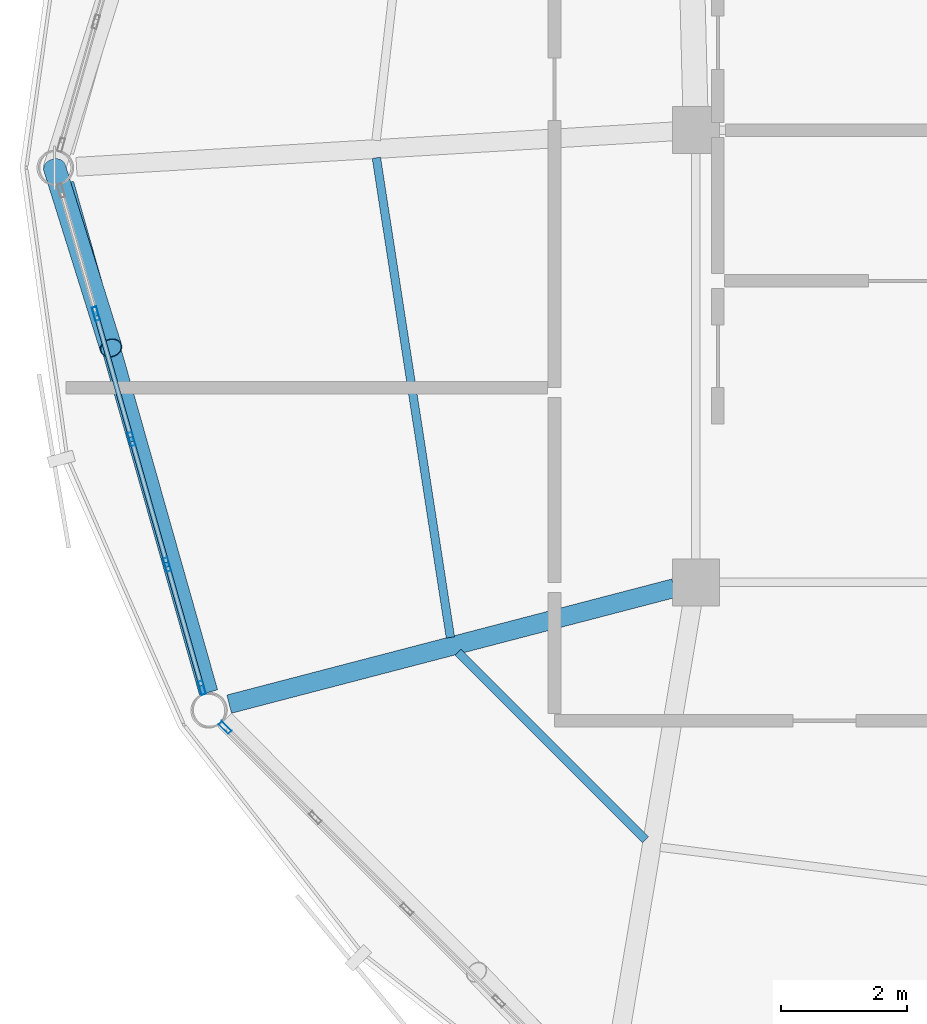
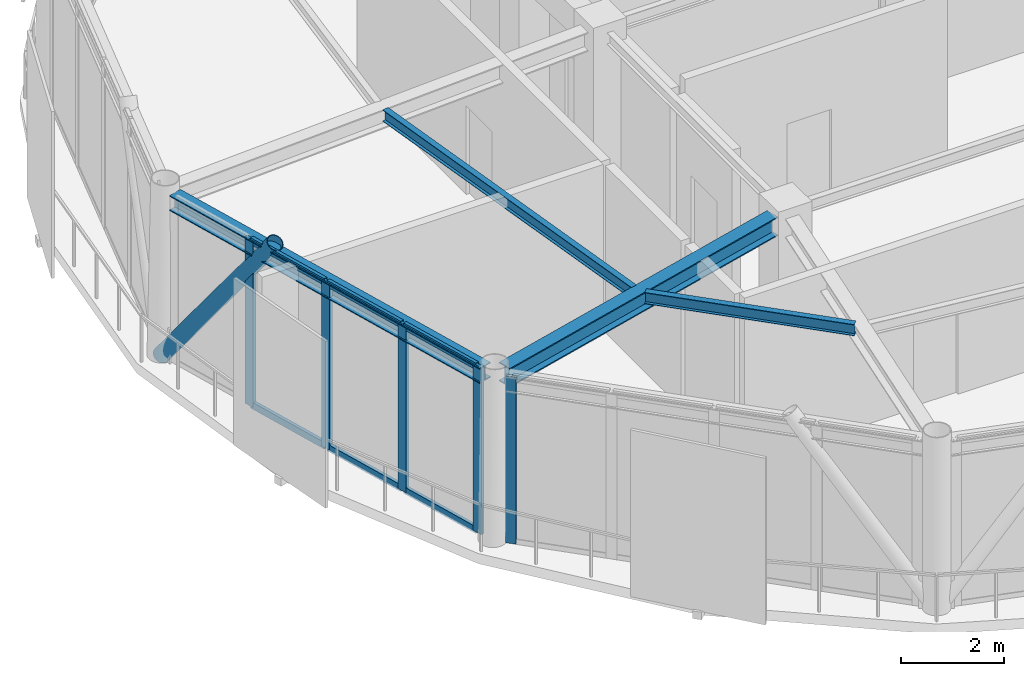
# One storey, part 3 of 20: 12 members, 4 beams, 2 elements without a shape of their own.
"""IFC4 building model written with IfcOpenShell, lengths in metres."""

from ifc_helpers import new_model, si_unit, direction, frame, origin, origin_2d, place, context, subcontext, project, spatial, hollow_rectangle, hollow_circle, i_section, extrude, material, layer, layer_set, material_profile, profile_set, type_object, element, aggregate, save


model = new_model("IFC4")

# Units and contexts
model_context = context("Model", 3, precision=1e-05, world=origin(), true_north=direction((0.0, 1.0)))
body_context = subcontext(model_context, "Body", "Model", "MODEL_VIEW")
ifc_project = project(units=[si_unit("LENGTHUNIT", "METRE"), si_unit("AREAUNIT", "SQUARE_METRE"), si_unit("VOLUMEUNIT", "CUBIC_METRE"), si_unit("PLANEANGLEUNIT", "RADIAN"), si_unit("MASSUNIT", "GRAM", prefix="KILO")], contexts=[model_context])

# Site, building, storey
site_placement = place(None, origin())
site = spatial("IfcSite", under=ifc_project, at=site_placement, CompositionType="ELEMENT")
building_placement = place(site_placement, origin())
building = spatial("IfcBuilding", under=site, at=building_placement, Name="Varnakorn Sky Granary", CompositionType="ELEMENT")
storey_placement = place(building_placement, frame((0.0, 0.0, 306.60009765625)))
storey = spatial("IfcBuildingStorey", under=building, at=storey_placement, Name="L78", CompositionType="ELEMENT", Elevation=306.60009765625)

# Beams
ifc_material_1 = material(Name="Steel S355JR", Category="steel")
ifc_material_profile_1 = material_profile(ifc_material_1, i_section(OverallWidth=0.300048828125, OverallDepth=0.449951171875, WebThickness=0.013916015625, FlangeThickness=0.02587890625, at=origin_2d()), Name="HE 450 B")
ifc_profile_set_1 = profile_set([ifc_material_profile_1], Name="Steel S355JR")
beam_type_1 = type_object("IfcBeamType", Name="BM-RAD-Z5", PredefinedType="BEAM", material=ifc_profile_set_1)
beam_1_placement = place(storey_placement, frame((-2.693603515625, -6.689697265625, 3.73486328125), z_axis=(-0.967636747334, -0.252347231427, 0.0), x_axis=(0.252347231427, -0.967636747334, 0.0)))
element("IfcBeam", 1, at=beam_1_placement, inside=storey, type_object=beam_type_1, Name="Radial Floor Girder RG08 L78", PredefinedType="BEAM", context=body_context, shape_type="SweptSolid", body=[
    extrude(i_section(OverallWidth=0.300048828125, OverallDepth=0.449951171875, WebThickness=0.013916015625, FlangeThickness=0.02587890625, at=origin_2d()), origin(), (0.0, 0.0, 1.0), 7.32080078125),
])
ifc_material_profile_2 = material_profile(ifc_material_1, i_section(OverallWidth=0.135009765625, OverallDepth=0.27001953125, WebThickness=0.006591796875, FlangeThickness=0.01025390625, at=origin_2d()), Name="IPE 270")
ifc_profile_set_2 = profile_set([ifc_material_profile_2], Name="Steel S355JR")
beam_type_2 = type_object("IfcBeamType", Name="BM-SEC-Z5", PredefinedType="BEAM", material=ifc_profile_set_2)
beam_2_placement = place(storey_placement, frame((-7.434326171875, 0.158935546875, 3.824951171875), z_axis=(0.152439560254, -0.988312794853, 0.0), x_axis=(0.988312794853, 0.152439560254, 0.0)))
element("IfcBeam", 2, at=beam_2_placement, inside=storey, type_object=beam_type_2, Name="Secondary Floor Chord Beam MSB07 L78", PredefinedType="BEAM", context=body_context, shape_type="SweptSolid", body=[
    extrude(i_section(OverallWidth=0.135009765625, OverallDepth=0.27001953125, WebThickness=0.006591796875, FlangeThickness=0.01025390625, at=origin_2d()), origin(), (0.0, 0.0, 1.0), 7.724365234375),
])
beam_3_placement = place(storey_placement, frame((-6.13671875, -7.71240234375, 3.824951171875), z_axis=(0.707020003648, -0.707193548077, 0.0), x_axis=(0.707193548077, 0.707020003648, 0.0)))
element("IfcBeam", 3, at=beam_3_placement, inside=storey, type_object=beam_type_2, Name="Secondary Floor Chord Beam MSB08 L78", PredefinedType="BEAM", context=body_context, shape_type="SweptSolid", body=[
    extrude(i_section(OverallWidth=0.135009765625, OverallDepth=0.27001953125, WebThickness=0.006591796875, FlangeThickness=0.01025390625, at=origin_2d()), origin(), (0.0, 0.0, 1.0), 4.220458984375),
])
ifc_material_profile_3 = material_profile(ifc_material_1, i_section(OverallWidth=0.300048828125, OverallDepth=0.360107421875, WebThickness=0.012451171875, FlangeThickness=0.0224609375, at=origin_2d()), Name="HE 360 B")
ifc_profile_set_3 = profile_set([ifc_material_profile_3], Name="Steel S355JR")
beam_type_3 = type_object("IfcBeamType", Name="BM-SPD-Z5", PredefinedType="SPANDREL", material=ifc_profile_set_3)
beam_4_placement = place(storey_placement, frame((-12.39892578125, -0.25439453125, 3.77978515625), z_axis=(0.272555118521, -0.962140170333, 0.0), x_axis=(0.962140170333, 0.272555118521, 0.0)))
element("IfcBeam", 4, at=beam_4_placement, inside=storey, type_object=beam_type_3, Name="Perimeter Spandrel Ring Beam RB07 L78", PredefinedType="SPANDREL", context=body_context, shape_type="SweptSolid", body=[
    extrude(i_section(OverallWidth=0.300048828125, OverallDepth=0.360107421875, WebThickness=0.012451171875, FlangeThickness=0.0224609375, at=origin_2d()), origin(), (0.0, 0.0, 1.0), 8.413818359375),
])

# Curtain wall, members
ifc_material_2 = material(Name="Anodised Bronze Aluminium Alloy 6063-T6", Category="aluminium")
ifc_layer = layer(ifc_material_2, 0.22998046875, Name="Anodised Bronze Aluminium Alloy 6063-T6")
ifc_layer_set = layer_set([ifc_layer], Name="Anodised Bronze Aluminium Alloy 6063-T6")
curtain_wall_type = type_object("IfcCurtainWallType", Name="CW-LNT-1", PredefinedType="USERDEFINED", material=ifc_layer_set)
curtain_wall_1_placement = place(storey_placement, origin())
curtain_wall_1 = element("IfcCurtainWall", 5, at=curtain_wall_1_placement, inside=storey, type_object=curtain_wall_type, Name="Unitised Curtain Wall CW7 CW-L78-B07", ObjectType="CURTAIN WALL", PredefinedType="USERDEFINED")
ifc_material_profile_4 = material_profile(ifc_material_2, hollow_rectangle(XDim=0.074951171875, YDim=0.219970703125, WallThickness=0.00390625, at=origin_2d()), Name="ALU MULL 75x220")
ifc_profile_set_4 = profile_set([ifc_material_profile_4], Name="Anodised Bronze Aluminium Alloy 6063-T6")
member_type_1 = type_object("IfcMemberType", Name="CW-LNT-1-MULL", PredefinedType="MULLION", material=ifc_profile_set_4)
member_1_placement = place(storey_placement, frame((-10.2109375, -8.27685546875, 0.0), z_axis=(0.0, 0.0, 1.0), x_axis=(-0.962094649549, -0.272715759188, 0.0)))
member_1 = element("IfcMember", 6, at=member_1_placement, type_object=member_type_1, Name="CW7 mullion 1", PredefinedType="MULLION", context=body_context, shape_type="SweptSolid", body=[
    extrude(hollow_rectangle(XDim=0.074951171875, YDim=0.219970703125, WallThickness=0.00390625, at=origin_2d()), origin(), (0.0, 0.0, 1.0), 3.9599609375),
])
member_2_placement = place(storey_placement, frame((-10.7666015625, -6.31640625, 0.0), z_axis=(0.0, 0.0, 1.0), x_axis=(-0.962094649549, -0.272715759188, 0.0)))
member_2 = element("IfcMember", 7, at=member_2_placement, type_object=member_type_1, Name="CW7 mullion 2", PredefinedType="MULLION", context=body_context, shape_type="SweptSolid", body=[
    extrude(hollow_rectangle(XDim=0.074951171875, YDim=0.219970703125, WallThickness=0.00390625, at=origin_2d()), origin(), (0.0, 0.0, 1.0), 3.9599609375),
])
member_3_placement = place(storey_placement, frame((-11.33251953125, -4.31982421875, 0.0), z_axis=(0.0, 0.0, 1.0), x_axis=(-0.962094649549, -0.272715759188, 0.0)))
member_3 = element("IfcMember", 8, at=member_3_placement, type_object=member_type_1, Name="CW7 mullion 3", PredefinedType="MULLION", context=body_context, shape_type="SweptSolid", body=[
    extrude(hollow_rectangle(XDim=0.074951171875, YDim=0.219970703125, WallThickness=0.00390625, at=origin_2d()), origin(), (0.0, 0.0, 1.0), 3.9599609375),
])
member_4_placement = place(storey_placement, frame((-11.8984375, -2.3232421875, 0.0), z_axis=(0.0, 0.0, 1.0), x_axis=(-0.962094649549, -0.272715759188, 0.0)))
member_4 = element("IfcMember", 9, at=member_4_placement, type_object=member_type_1, Name="CW7 mullion 4", PredefinedType="MULLION", context=body_context, shape_type="SweptSolid", body=[
    extrude(hollow_rectangle(XDim=0.074951171875, YDim=0.219970703125, WallThickness=0.00390625, at=origin_2d()), origin(), (0.0, 0.0, 1.0), 3.9599609375),
])

# Curtain wall, member
curtain_wall_2_placement = place(storey_placement, origin())
curtain_wall_2 = element("IfcCurtainWall", 10, at=curtain_wall_2_placement, inside=storey, type_object=curtain_wall_type, Name="Unitised Curtain Wall CW7 CW-L78-B08", ObjectType="CURTAIN WALL", PredefinedType="USERDEFINED")
member_5_placement = place(storey_placement, frame((-9.841552734375, -8.906005859375, 0.0), z_axis=(0.0, 0.0, 1.0), x_axis=(-0.707251982619, -0.706961549932, 0.0)))
member_5 = element("IfcMember", 11, at=member_5_placement, type_object=member_type_1, Name="CW7 mullion 5", PredefinedType="MULLION", context=body_context, shape_type="SweptSolid", body=[
    extrude(hollow_rectangle(XDim=0.074951171875, YDim=0.219970703125, WallThickness=0.00390625, at=origin_2d()), origin(), (0.0, 0.0, 1.0), 3.9599609375),
])
aggregate(curtain_wall_2, [member_5])

# Member
ifc_material_profile_5 = material_profile(ifc_material_2, hollow_rectangle(XDim=0.074951171875, YDim=0.159912109375, WallThickness=0.00390625, at=origin_2d()), Name="ALU TRAN 75x160")
ifc_profile_set_5 = profile_set([ifc_material_profile_5], Name="Anodised Bronze Aluminium Alloy 6063-T6")
member_type_2 = type_object("IfcMemberType", Name="CW-LNT-1-TRAN", PredefinedType="USERDEFINED", material=ifc_profile_set_5)
member_6_placement = place(storey_placement, frame((-10.220947265625, -8.24072265625, 0.037353515625), z_axis=(-0.272765679567, 0.962080497698, 0.0), x_axis=(-0.962080497698, -0.272765679567, 0.0)))
member_6 = element("IfcMember", 12, at=member_6_placement, type_object=member_type_2, Name="CW7 transom 1.1", ObjectType="TRANSOM", PredefinedType="USERDEFINED", context=body_context, shape_type="SweptSolid", body=[
    extrude(hollow_rectangle(XDim=0.074951171875, YDim=0.159912109375, WallThickness=0.00390625, at=origin_2d()), origin(), (0.0, 0.0, 1.0), 1.962890625),
])

member_7_placement = place(storey_placement, frame((-10.220947265625, -8.24072265625, 3.92236328125), z_axis=(-0.272765679567, 0.962080497698, 0.0), x_axis=(-0.962080497698, -0.272765679567, 0.0)))
member_7 = element("IfcMember", 13, at=member_7_placement, type_object=member_type_2, Name="CW7 transom 1.2", ObjectType="TRANSOM", PredefinedType="USERDEFINED", context=body_context, shape_type="SweptSolid", body=[
    extrude(hollow_rectangle(XDim=0.074951171875, YDim=0.159912109375, WallThickness=0.00390625, at=origin_2d()), origin(), (0.0, 0.0, 1.0), 1.962890625),
])

member_8_placement = place(storey_placement, frame((-10.77685546875, -6.2802734375, 0.037353515625), z_axis=(-0.272657178609, 0.962111252898, 0.0), x_axis=(-0.962111252898, -0.272657178609, 0.0)))
member_8 = element("IfcMember", 14, at=member_8_placement, type_object=member_type_2, Name="CW7 transom 2.1", ObjectType="TRANSOM", PredefinedType="USERDEFINED", context=body_context, shape_type="SweptSolid", body=[
    extrude(hollow_rectangle(XDim=0.074951171875, YDim=0.159912109375, WallThickness=0.00390625, at=origin_2d()), origin(), (0.0, 0.0, 1.0), 2.000244140625),
])

member_9_placement = place(storey_placement, frame((-10.77685546875, -6.2802734375, 3.92236328125), z_axis=(-0.272657178609, 0.962111252898, 0.0), x_axis=(-0.962111252898, -0.272657178609, 0.0)))
member_9 = element("IfcMember", 15, at=member_9_placement, type_object=member_type_2, Name="CW7 transom 2.2", ObjectType="TRANSOM", PredefinedType="USERDEFINED", context=body_context, shape_type="SweptSolid", body=[
    extrude(hollow_rectangle(XDim=0.074951171875, YDim=0.159912109375, WallThickness=0.00390625, at=origin_2d()), origin(), (0.0, 0.0, 1.0), 2.000244140625),
])

member_10_placement = place(storey_placement, frame((-11.3427734375, -4.28369140625, 0.037353515625), z_axis=(-0.272689198876, 0.96210217795, 0.0), x_axis=(-0.96210217795, -0.272689198876, 0.0)))
member_10 = element("IfcMember", 16, at=member_10_placement, type_object=member_type_2, Name="CW7 transom 3.1", ObjectType="TRANSOM", PredefinedType="USERDEFINED", context=body_context, shape_type="SweptSolid", body=[
    extrude(hollow_rectangle(XDim=0.074951171875, YDim=0.159912109375, WallThickness=0.00390625, at=origin_2d()), origin(), (0.0, 0.0, 1.0), 2.0),
])

member_11_placement = place(storey_placement, frame((-11.3427734375, -4.28369140625, 3.92236328125), z_axis=(-0.272689198876, 0.96210217795, 0.0), x_axis=(-0.96210217795, -0.272689198876, 0.0)))
member_11 = element("IfcMember", 17, at=member_11_placement, type_object=member_type_2, Name="CW7 transom 3.2", ObjectType="TRANSOM", PredefinedType="USERDEFINED", context=body_context, shape_type="SweptSolid", body=[
    extrude(hollow_rectangle(XDim=0.074951171875, YDim=0.159912109375, WallThickness=0.00390625, at=origin_2d()), origin(), (0.0, 0.0, 1.0), 2.0),
])

aggregate(curtain_wall_1, [member_1, member_2, member_3, member_4, member_6, member_7, member_8, member_9, member_10, member_11])

ifc_material_3 = material(Name="Steel S460M", Category="steel")
ifc_material_profile_6 = material_profile(ifc_material_3, hollow_circle(Radius=0.177734375, WallThickness=0.01416015625, at=origin_2d()), Name="CHS 355.6x14")
ifc_profile_set_6 = profile_set([ifc_material_profile_6], Name="Steel S460M")
member_type_3 = type_object("IfcMemberType", Name="MB-DIAG-T5", PredefinedType="BRACE", material=ifc_profile_set_6)
member_12_placement = place(storey_placement, frame((-12.556884765625, 0.0, 0.0), z_axis=(0.177020502448, -0.565070609308, 0.805828113316), x_axis=(0.954270149738, 0.29894561599, 0.0)))
element("IfcMember", 18, at=member_12_placement, inside=storey, type_object=member_type_3, Name="Perimeter CHS Diagrid Brace DG07 L78", PredefinedType="BRACE", context=body_context, shape_type="SweptSolid", body=[
    extrude(hollow_circle(Radius=0.177734375, WallThickness=0.01416015625, at=origin_2d()), origin(), (0.0, 0.0, 1.0), 5.075439453125),
])

save(model, "model.ifc")
